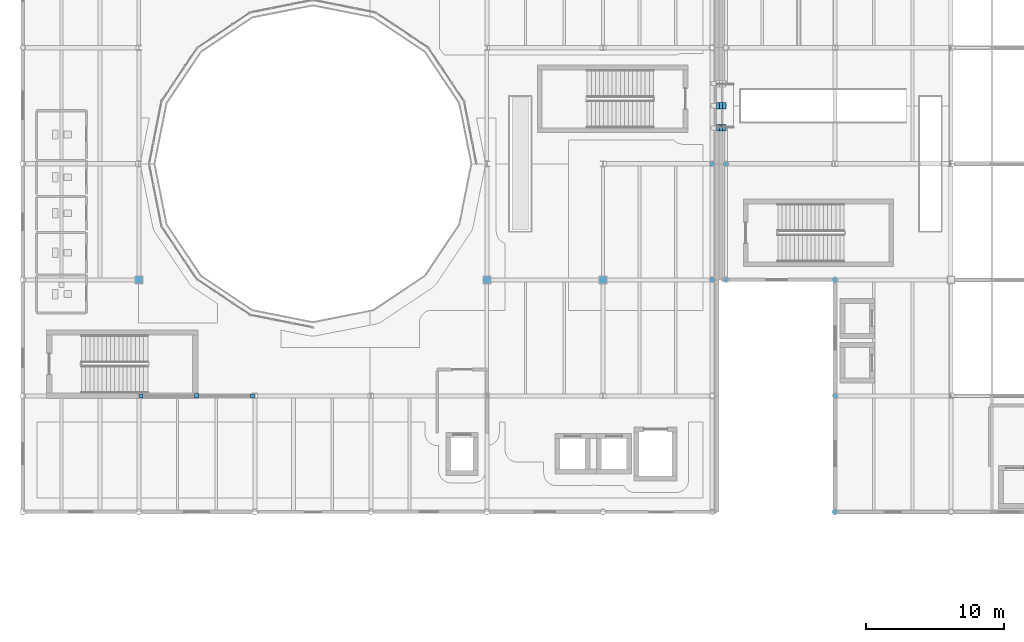
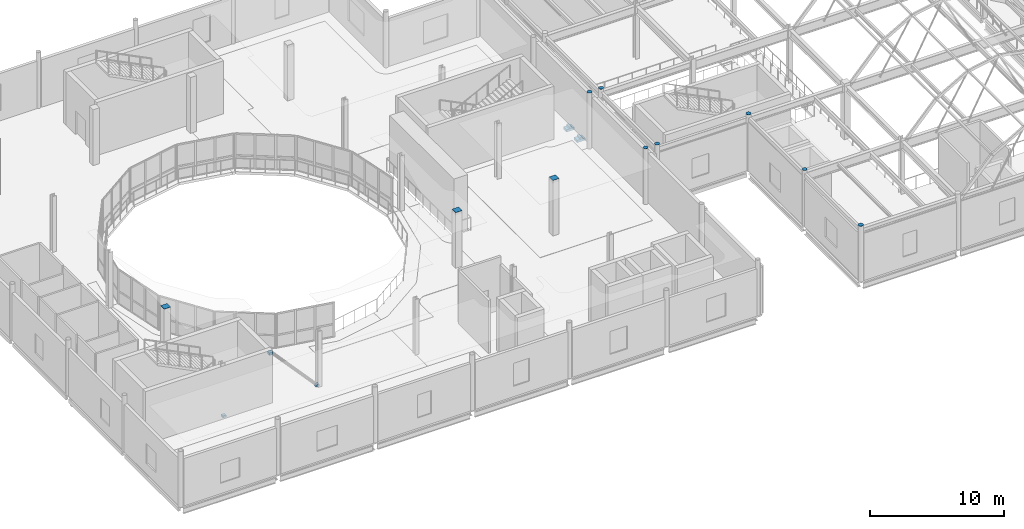
# One storey, part 72 of 103: 17 discrete accessories.
"""IFC4 building model written with IfcOpenShell, lengths in metres."""

from ifc_helpers import new_model, si_unit, direction, frame, origin, origin_2d, place, context, subcontext, project, spatial, rectangle, circle, extrude, material, type_object, element, save


model = new_model("IFC4")

# Units and contexts
model_context = context("Model", 3, precision=1e-05, world=origin(), true_north=direction((0.0, 1.0)))
body_context = subcontext(model_context, "Body", "Model", "MODEL_VIEW")
ifc_project = project(units=[si_unit("LENGTHUNIT", "METRE"), si_unit("AREAUNIT", "SQUARE_METRE"), si_unit("VOLUMEUNIT", "CUBIC_METRE"), si_unit("PLANEANGLEUNIT", "RADIAN"), si_unit("MASSUNIT", "GRAM", prefix="KILO"), si_unit("THERMODYNAMICTEMPERATUREUNIT", "KELVIN")], contexts=[model_context])

# Site, building, storey
site_placement = place(None, origin())
site = spatial("IfcSite", under=ifc_project, at=site_placement, CompositionType="ELEMENT")
building_placement = place(site_placement, origin())
building = spatial("IfcBuilding", under=site, at=building_placement, Name="Lustrewick Department Store", CompositionType="ELEMENT")
storey_placement = place(building_placement, frame((0.0, 0.0, 16.5)))
storey = spatial("IfcBuildingStorey", under=building, at=storey_placement, Name="L04", CompositionType="ELEMENT", Elevation=16.5)

# Discrete accessories
ifc_material = material(Name="Structural steel Q355C", Category="steel")
discrete_accessory_type_1 = type_object("IfcDiscreteAccessoryType", Name="GUS-NODE", PredefinedType="BRACKET", material=ifc_material)
for number, where, z_axis, x_axis, name in (
    (1, (16.97509765625, 50.39990234375, 0.06005859375), (0.0, 0.0, 1.0), (1.0, 0.0, 0.0), "L04 V1 Brace Base Gusset Plate"),
    (2, (25.02490234375, 50.39990234375, 0.06005859375), (0.0, 0.0, 1.0), (1.0, 0.0, 0.0), "L04 V1 Brace Base Gusset Plate"),
):
    element("IfcDiscreteAccessory", number, at=place(storey_placement, frame(where, z_axis=z_axis, x_axis=x_axis)), inside=storey, type_object=discrete_accessory_type_1, Name=name, PredefinedType="BRACKET", context=body_context, shape_type="SweptSolid", body=[
        extrude(rectangle(XDim=0.280029296875, YDim=0.280029296875, at=origin_2d()), origin(), (0.0, 0.0, 1.0), 0.179931640625),
    ])
discrete_accessory_1_placement = place(storey_placement, frame((21.0, 50.39990234375, 4.38525390625), z_axis=(0.0, 0.0, 1.0), x_axis=(1.0, 0.0, 0.0)))
element("IfcDiscreteAccessory", 3, at=discrete_accessory_1_placement, inside=storey, type_object=discrete_accessory_type_1, Name="L04 V1 Chevron Brace Apex Gusset Plate", PredefinedType="BRACKET", context=body_context, shape_type="SweptSolid", body=[
    extrude(rectangle(XDim=0.320068359375, YDim=0.320068359375, at=origin_2d()), origin(), (0.0, 0.0, 1.0), 0.219970703125),
])
discrete_accessory_type_2 = type_object("IfcDiscreteAccessoryType", Name="SB-CORBEL", PredefinedType="BRACKET", material=ifc_material)
for number, where, z_axis, x_axis, name in (
    (4, (58.949951171875, 69.800048828125, -1.11279296875), (0.0, 0.0, 1.0), (1.0, 0.0, 0.0), "L04 Skybridge SB12 700 mm Bearing Seat Corbel 1"),
    (5, (58.949951171875, 71.39990234375, -1.11279296875), (0.0, 0.0, 1.0), (1.0, 0.0, 0.0), "L04 Skybridge SB12 700 mm Bearing Seat Corbel 2"),
):
    element("IfcDiscreteAccessory", number, at=place(storey_placement, frame(where, z_axis=z_axis, x_axis=x_axis)), inside=storey, type_object=discrete_accessory_type_2, Name=name, PredefinedType="BRACKET", context=body_context, shape_type="SweptSolid", body=[
        extrude(rectangle(XDim=0.699951171875, YDim=0.47998046875, at=origin_2d()), origin(), (0.0, 0.0, 1.0), 0.219970703125),
    ])
discrete_accessory_type_3 = type_object("IfcDiscreteAccessoryType", Name="SB-PTFE", PredefinedType="BRACKET", material=ifc_material)
for number, where, z_axis, x_axis, name in (
    (6, (58.949951171875, 69.800048828125, -0.89306640625), (0.0, 0.0, 1.0), (1.0, 0.0, 0.0), "L04 Skybridge SB12 PTFE Sliding Bearing 1"),
    (7, (58.949951171875, 71.39990234375, -0.89306640625), (0.0, 0.0, 1.0), (1.0, 0.0, 0.0), "L04 Skybridge SB12 PTFE Sliding Bearing 2"),
):
    element("IfcDiscreteAccessory", number, at=place(storey_placement, frame(where, z_axis=z_axis, x_axis=x_axis)), inside=storey, type_object=discrete_accessory_type_3, Name=name, PredefinedType="BRACKET", context=body_context, shape_type="SweptSolid", body=[
        extrude(rectangle(XDim=0.199951171875, YDim=0.449951171875, at=origin_2d()), origin(), (0.0, 0.0, 1.0), 0.159912109375),
    ])
discrete_accessory_type_4 = type_object("IfcDiscreteAccessoryType", Name="ECP-01", PredefinedType="USERDEFINED", material=ifc_material)
for number, where, z_axis, x_axis, name in (
    (8, (58.300048828125, 67.199951171875, 5.093994140625), (0.0, 0.0, 1.0), (1.0, 0.0, 0.0), "L04 Welded Hollow-Section End-Cap Plate ECP-01"),
    (9, (59.300048828125, 58.800048828125, 5.093994140625), (0.0, 0.0, 1.0), (1.0, 0.0, 0.0), "L04 Welded Hollow-Section End-Cap Plate ECP-01"),
):
    element("IfcDiscreteAccessory", number, at=place(storey_placement, frame(where, z_axis=z_axis, x_axis=x_axis)), inside=storey, type_object=discrete_accessory_type_4, Name=name, ObjectType="END_CAP_PLATE", PredefinedType="USERDEFINED", context=body_context, shape_type="SweptSolid", body=[
        extrude(circle(Radius=0.1884765625, at=origin_2d()), origin(), (0.0, 0.0, 1.0), 0.01611328125),
    ])
discrete_accessory_2_placement = place(storey_placement, frame((67.199951171875, 42.0, 5.093994140625), z_axis=(0.0, 0.0, 1.0), x_axis=(1.0, 0.0, 0.0)))
element("IfcDiscreteAccessory", 10, at=discrete_accessory_2_placement, inside=storey, type_object=discrete_accessory_type_4, Name="L04 Welded Hollow-Section End-Cap Plate ECP-01", ObjectType="END_CAP_PLATE", PredefinedType="USERDEFINED", context=body_context, shape_type="SweptSolid", body=[
    extrude(circle(Radius=0.202880859375, at=origin_2d()), origin(), (0.0, 0.0, 1.0), 0.01611328125),
])
discrete_accessory_3_placement = place(storey_placement, frame((59.300048828125, 67.199951171875, 5.093994140625), z_axis=(0.0, 0.0, 1.0), x_axis=(1.0, 0.0, 0.0)))
element("IfcDiscreteAccessory", 11, at=discrete_accessory_3_placement, inside=storey, type_object=discrete_accessory_type_4, Name="L04 Welded Hollow-Section End-Cap Plate ECP-01", ObjectType="END_CAP_PLATE", PredefinedType="USERDEFINED", context=body_context, shape_type="SweptSolid", body=[
    extrude(circle(Radius=0.1884765625, at=origin_2d()), origin(), (0.0, 0.0, 1.0), 0.01611328125),
])
discrete_accessory_4_placement = place(storey_placement, frame((67.199951171875, 58.800048828125, 5.093994140625), z_axis=(0.0, 0.0, 1.0), x_axis=(1.0, 0.0, 0.0)))
element("IfcDiscreteAccessory", 12, at=discrete_accessory_4_placement, inside=storey, type_object=discrete_accessory_type_4, Name="L04 Welded Hollow-Section End-Cap Plate ECP-01", ObjectType="END_CAP_PLATE", PredefinedType="USERDEFINED", context=body_context, shape_type="SweptSolid", body=[
    extrude(circle(Radius=0.202880859375, at=origin_2d()), origin(), (0.0, 0.0, 1.0), 0.01611328125),
])
discrete_accessory_5_placement = place(storey_placement, frame((58.300048828125, 58.800048828125, 5.093994140625), z_axis=(0.0, 0.0, 1.0), x_axis=(1.0, 0.0, 0.0)))
element("IfcDiscreteAccessory", 13, at=discrete_accessory_5_placement, inside=storey, type_object=discrete_accessory_type_4, Name="L04 Welded Hollow-Section End-Cap Plate ECP-01", ObjectType="END_CAP_PLATE", PredefinedType="USERDEFINED", context=body_context, shape_type="SweptSolid", body=[
    extrude(circle(Radius=0.1884765625, at=origin_2d()), origin(), (0.0, 0.0, 1.0), 0.01611328125),
])
for number, where, z_axis, x_axis, name in (
    (14, (16.800048828125, 58.800048828125, 5.093994140625), (0.0, 0.0, 1.0), (1.0, 0.0, 0.0), "L04 Welded Hollow-Section End-Cap Plate ECP-01"),
    (15, (42.0, 58.800048828125, 5.093994140625), (0.0, 0.0, 1.0), (1.0, 0.0, 0.0), "L04 Welded Hollow-Section End-Cap Plate ECP-01"),
    (16, (50.39990234375, 58.800048828125, 5.093994140625), (0.0, 0.0, 1.0), (1.0, 0.0, 0.0), "L04 Welded Hollow-Section End-Cap Plate ECP-01"),
):
    element("IfcDiscreteAccessory", number, at=place(storey_placement, frame(where, z_axis=z_axis, x_axis=x_axis)), inside=storey, type_object=discrete_accessory_type_4, Name=name, ObjectType="END_CAP_PLATE", PredefinedType="USERDEFINED", context=body_context, shape_type="SweptSolid", body=[
        extrude(rectangle(XDim=0.550048828125, YDim=0.550048828125, at=origin_2d()), origin(), (0.0, 0.0, 1.0), 0.01611328125),
    ])
discrete_accessory_6_placement = place(storey_placement, frame((67.199951171875, 50.39990234375, 5.093994140625), z_axis=(0.0, 0.0, 1.0), x_axis=(1.0, 0.0, 0.0)))
element("IfcDiscreteAccessory", 17, at=discrete_accessory_6_placement, inside=storey, type_object=discrete_accessory_type_4, Name="L04 Welded Hollow-Section End-Cap Plate ECP-01", ObjectType="END_CAP_PLATE", PredefinedType="USERDEFINED", context=body_context, shape_type="SweptSolid", body=[
    extrude(circle(Radius=0.1884765625, at=origin_2d()), origin(), (0.0, 0.0, 1.0), 0.01611328125),
])

save(model, "model.ifc")
